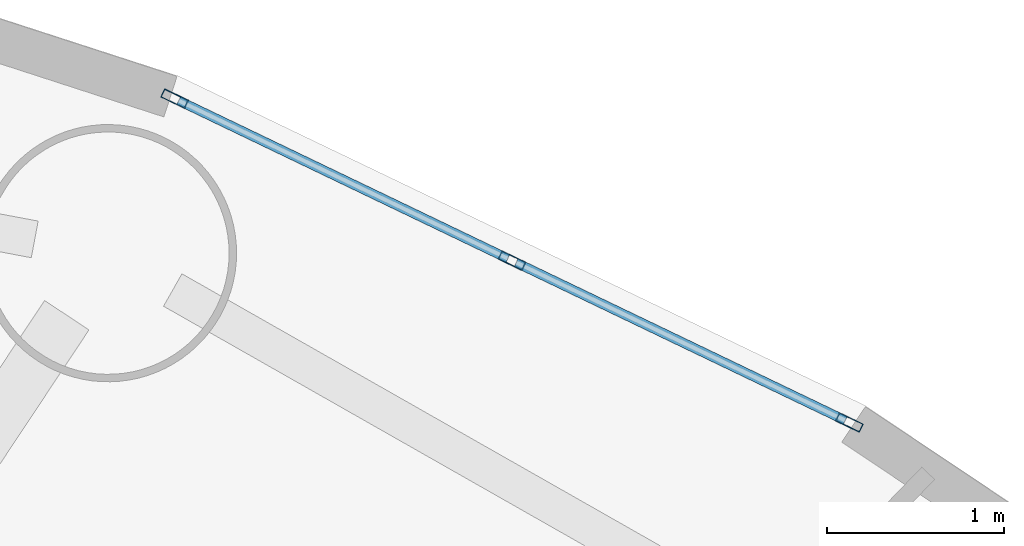
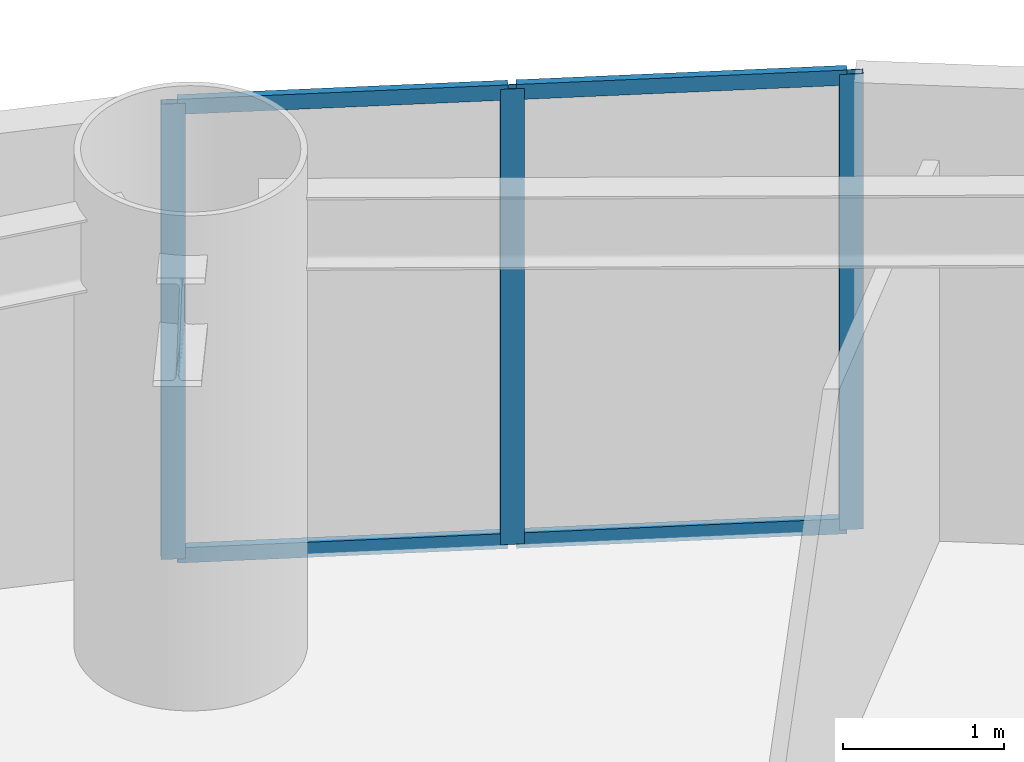
# One storey, part 5 of 17: 7 members, 1 element without a shape of its own.
"""IFC4 building model written with IfcOpenShell, lengths in metres."""

from ifc_helpers import new_model, si_unit, direction, frame, origin, origin_2d, place, context, subcontext, project, spatial, hollow_rectangle, extrude, source, transform, mapped, material, layer, layer_set, material_profile, profile_set, type_object, element, aggregate, save


model = new_model("IFC4")

# Units and contexts
model_context = context("Model", 3, precision=1e-05, world=origin(), true_north=direction((0.0, 1.0)))
body_context = subcontext(model_context, "Body", "Model", "MODEL_VIEW")
ifc_project = project(units=[si_unit("LENGTHUNIT", "METRE"), si_unit("AREAUNIT", "SQUARE_METRE"), si_unit("VOLUMEUNIT", "CUBIC_METRE"), si_unit("PLANEANGLEUNIT", "RADIAN"), si_unit("MASSUNIT", "GRAM", prefix="KILO")], contexts=[model_context])

# Site, building, storey
site_placement = place(None, origin())
site = spatial("IfcSite", under=ifc_project, at=site_placement, CompositionType="ELEMENT")
building_placement = place(site_placement, origin())
building = spatial("IfcBuilding", under=site, at=building_placement, Name="Linh Dai School and Residence Tower", CompositionType="ELEMENT")
storey_placement = place(building_placement, frame((0.0, 0.0, 142.199951171875)))
storey = spatial("IfcBuildingStorey", under=building, at=storey_placement, Name="L34", CompositionType="ELEMENT", Elevation=142.199951171875)

# Curtain wall, members
ifc_material_1 = material(Name="Aluminium Anodised Curtain Wall", Category="aluminium")
ifc_layer = layer(ifc_material_1, 0.14990234375)
ifc_layer_set = layer_set([ifc_layer], Name="Aluminium Anodised Curtain Wall")
curtain_wall_type = type_object("IfcCurtainWallType", Name="CW-SYS-4", PredefinedType="USERDEFINED", material=ifc_layer_set)
curtain_wall_placement = place(storey_placement, origin())
curtain_wall = element("IfcCurtainWall", 1, at=curtain_wall_placement, inside=storey, type_object=curtain_wall_type, Name="L34 CW4 Curtain Wall 07", ObjectType="RIBBON CURTAIN WALL", PredefinedType="USERDEFINED")
ifc_material_2 = material(Name="Aluminium Alloy 6063-T6", Category="aluminium")
ifc_material_profile_1 = material_profile(ifc_material_2, hollow_rectangle(XDim=0.052001953125, YDim=0.114990234375, WallThickness=0.00390625, at=origin_2d()), Name="RHS 115x52x4")
ifc_profile_set_1 = profile_set([ifc_material_profile_1], Name="Aluminium Alloy 6063-T6")
member_type_1 = type_object("IfcMemberType", Name="CW-SYS-4-TRN", PredefinedType="USERDEFINED", material=ifc_profile_set_1)
shared_shape_1 = source(origin(), body_context, "Body", "SweptSolid", [
    extrude(hollow_rectangle(XDim=0.052001953125, YDim=0.114990234375, WallThickness=0.00390625, at=origin_2d()), origin(), (0.0, 0.0, 1.0), 2.057861328125),
])
member_1_placement = place(storey_placement, frame((49.120849609375, 47.02490234375, 0.026123046875), z_axis=(0.901547123533, -0.432680926375, 0.0), x_axis=(0.432680926375, 0.901547123533, 0.0)))
member_1 = element("IfcMember", 2, at=member_1_placement, type_object=member_type_1, Name="CW4 transom 1.1", ObjectType="TRANSOM", PredefinedType="USERDEFINED", context=body_context, shape_type="MappedRepresentation", body=[
    mapped(shared_shape_1, transform((0.0, 0.0, 0.0), x_axis=(1.0, 0.0, 0.0), y_axis=(0.0, 1.0, 0.0), z_axis=(0.0, 0.0, 1.0), scale=1.0)),
])
member_2_placement = place(storey_placement, frame((49.120849609375, 47.02490234375, 3.424072265625), z_axis=(0.901547123533, -0.432680926375, 0.0), x_axis=(0.432680926375, 0.901547123533, 0.0)))
member_2 = element("IfcMember", 3, at=member_2_placement, type_object=member_type_1, Name="CW4 transom 1.2", ObjectType="TRANSOM", PredefinedType="USERDEFINED", context=body_context, shape_type="MappedRepresentation", body=[
    mapped(shared_shape_1, transform((0.0, 0.0, 0.0), x_axis=(1.0, 0.0, 0.0), y_axis=(0.0, 1.0, 0.0), z_axis=(0.0, 0.0, 1.0), scale=1.0)),
])
member_3_placement = place(storey_placement, frame((51.02294921875, 46.112060546875, 0.026123046875), z_axis=(0.901615598845, -0.432538220183, 0.0), x_axis=(0.432538220183, 0.901615598845, 0.0)))
member_3 = element("IfcMember", 4, at=member_3_placement, type_object=member_type_1, Name="CW4 transom 2.1", ObjectType="TRANSOM", PredefinedType="USERDEFINED", context=body_context, shape_type="MappedRepresentation", body=[
    mapped(shared_shape_1, transform((0.0, 0.0, 0.0), x_axis=(1.0, 0.0, 0.0), y_axis=(0.0, 1.0, 0.0), z_axis=(0.0, 0.0, 1.0), scale=1.0)),
])
member_4_placement = place(storey_placement, frame((51.02294921875, 46.112060546875, 3.424072265625), z_axis=(0.901615598845, -0.432538220183, 0.0), x_axis=(0.432538220183, 0.901615598845, 0.0)))
member_4 = element("IfcMember", 5, at=member_4_placement, type_object=member_type_1, Name="CW4 transom 2.2", ObjectType="TRANSOM", PredefinedType="USERDEFINED", context=body_context, shape_type="MappedRepresentation", body=[
    mapped(shared_shape_1, transform((0.0, 0.0, 0.0), x_axis=(1.0, 0.0, 0.0), y_axis=(0.0, 1.0, 0.0), z_axis=(0.0, 0.0, 1.0), scale=1.0)),
])
ifc_material_profile_2 = material_profile(ifc_material_2, hollow_rectangle(XDim=0.052001953125, YDim=0.14990234375, WallThickness=0.00390625, at=origin_2d()), Name="RHS 150x52x4")
ifc_profile_set_2 = profile_set([ifc_material_profile_2], Name="Aluminium Alloy 6063-T6")
member_type_2 = type_object("IfcMemberType", Name="CW-SYS-4-MUL", PredefinedType="MULLION", material=ifc_profile_set_2)
shared_shape_2 = source(origin(), body_context, "Body", "SweptSolid", [
    extrude(hollow_rectangle(XDim=0.052001953125, YDim=0.14990234375, WallThickness=0.00390625, at=origin_2d()), origin(), (0.0, 0.0, 1.0), 3.449951171875),
])
member_5_placement = place(storey_placement, frame((49.097412109375, 47.0361328125, 0.0), z_axis=(0.0, 0.0, 1.0), x_axis=(0.432617589064, 0.901577518371, 0.0)))
member_5 = element("IfcMember", 6, at=member_5_placement, type_object=member_type_2, Name="CW4 mullion 1", PredefinedType="MULLION", context=body_context, shape_type="MappedRepresentation", body=[
    mapped(shared_shape_2, transform((0.0, 0.0, 0.0), x_axis=(1.0, 0.0, 0.0), y_axis=(0.0, 1.0, 0.0), z_axis=(0.0, 0.0, 1.0), scale=1.0)),
])
member_6_placement = place(storey_placement, frame((50.99951171875, 46.123291015625, 0.0), z_axis=(0.0, 0.0, 1.0), x_axis=(0.432617589064, 0.901577518371, 0.0)))
member_6 = element("IfcMember", 7, at=member_6_placement, type_object=member_type_2, Name="CW4 mullion 2", PredefinedType="MULLION", context=body_context, shape_type="MappedRepresentation", body=[
    mapped(shared_shape_2, transform((0.0, 0.0, 0.0), x_axis=(1.0, 0.0, 0.0), y_axis=(0.0, 1.0, 0.0), z_axis=(0.0, 0.0, 1.0), scale=1.0)),
])
member_7_placement = place(storey_placement, frame((52.90185546875, 45.210693359375, 0.0), z_axis=(0.0, 0.0, 1.0), x_axis=(0.432617589064, 0.901577518371, 0.0)))
member_7 = element("IfcMember", 8, at=member_7_placement, type_object=member_type_2, Name="CW4 mullion 3", PredefinedType="MULLION", context=body_context, shape_type="MappedRepresentation", body=[
    mapped(shared_shape_2, transform((0.0, 0.0, 0.0), x_axis=(1.0, 0.0, 0.0), y_axis=(0.0, 1.0, 0.0), z_axis=(0.0, 0.0, 1.0), scale=1.0)),
])
aggregate(curtain_wall, [member_5, member_6, member_7, member_1, member_2, member_3, member_4])

save(model, "model.ifc")
